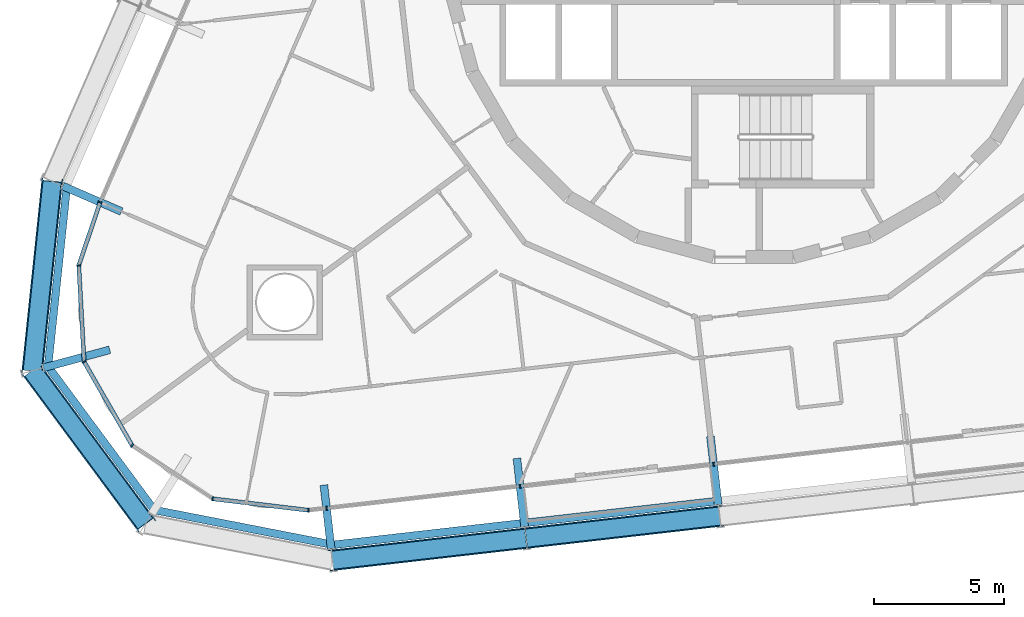
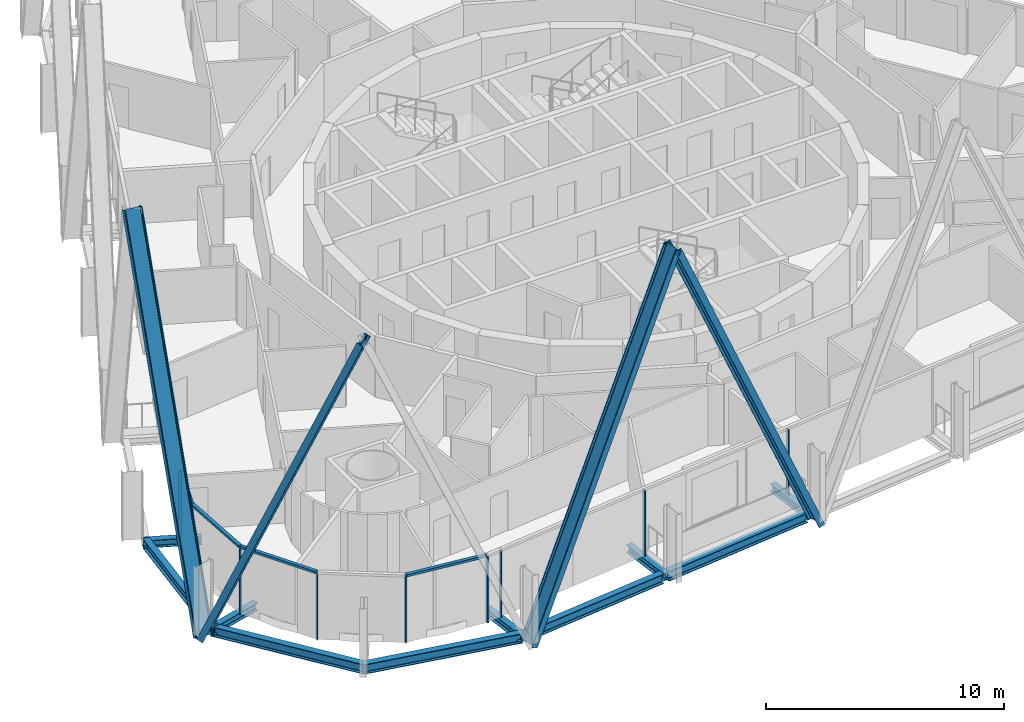
# One storey, part 3 of 23: 17 members, 10 beams, 2 elements without a shape of their own.
"""IFC4 building model written with IfcOpenShell, lengths in metres."""

from ifc_helpers import new_model, si_unit, direction, frame, origin, origin_2d, place, context, subcontext, project, spatial, rectangle, i_section, extrude, material, layer, layer_set, material_profile, profile_set, type_object, element, aggregate, save


model = new_model("IFC4")

# Units and contexts
model_context = context("Model", 3, precision=1e-05, world=origin(), true_north=direction((0.0, 1.0)))
body_context = subcontext(model_context, "Body", "Model", "MODEL_VIEW")
ifc_project = project(units=[si_unit("LENGTHUNIT", "METRE"), si_unit("AREAUNIT", "SQUARE_METRE"), si_unit("VOLUMEUNIT", "CUBIC_METRE"), si_unit("PLANEANGLEUNIT", "RADIAN"), si_unit("MASSUNIT", "GRAM", prefix="KILO")], contexts=[model_context])

# Site, building, storey
site_placement = place(None, origin())
site = spatial("IfcSite", under=ifc_project, at=site_placement, CompositionType="ELEMENT")
building_placement = place(site_placement, origin())
building = spatial("IfcBuilding", under=site, at=building_placement, Name="Spindle Arch Residences", CompositionType="ELEMENT")
storey_placement = place(building_placement, frame((0.0, 0.0, 90.699951171875)))
storey = spatial("IfcBuildingStorey", under=building, at=storey_placement, Name="L21", CompositionType="ELEMENT", Elevation=90.699951171875)

# Curtain wall, members
ifc_material_1 = material(Name="Aluminium bronze unitised frame with tinted glass", Category="aluminium")
ifc_layer_1 = layer(ifc_material_1, 0.159912109375)
ifc_layer_set_1 = layer_set([ifc_layer_1], Name="CW-D corner wall on the fillet arcs")
curtain_wall_type_1 = type_object("IfcCurtainWallType", Name="CW-D corner wall on the fillet arcs", PredefinedType="NOTDEFINED", material=ifc_layer_set_1)
curtain_wall_1_placement = place(storey_placement, origin())
curtain_wall_1 = element("IfcCurtainWall", 1, at=curtain_wall_1_placement, inside=storey, type_object=curtain_wall_type_1, Name="CW-D L21 run 5", PredefinedType="NOTDEFINED")
ifc_material_2 = material(Name="Aluminium bronze anodised mullion", Category="aluminium")
ifc_material_profile_1 = material_profile(ifc_material_2, rectangle(XDim=0.159912109375, YDim=0.06005859375, at=origin_2d()), Name="MU 60x160")
ifc_profile_set_1 = profile_set([ifc_material_profile_1], Name="Aluminium bronze anodised mullion")
member_type_1 = type_object("IfcMemberType", Name="Bronze mullion 60x160", PredefinedType="MULLION", material=ifc_profile_set_1)
member_1_placement = place(storey_placement, frame((-25.22900390625, -9.527099609375, -0.3798828125), z_axis=(0.0, 0.0, 1.0), x_axis=(0.947509671237, -0.319727106941, 0.0)))
member_1 = element("IfcMember", 2, at=member_1_placement, type_object=member_type_1, Name="CW-D mullion 00", PredefinedType="MULLION", context=body_context, shape_type="SweptSolid", body=[
    extrude(rectangle(XDim=0.159912109375, YDim=0.06005859375, at=origin_2d()), origin(), (0.0, 0.0, 1.0), 3.3798828125),
])
member_2_placement = place(storey_placement, frame((-26.052001953125, -11.96630859375, -0.3798828125), z_axis=(0.0, 0.0, 1.0), x_axis=(0.998473071057, 0.055240622495, 0.0)))
member_2 = element("IfcMember", 3, at=member_2_placement, type_object=member_type_1, Name="CW-D mullion 01", PredefinedType="MULLION", context=body_context, shape_type="SweptSolid", body=[
    extrude(rectangle(XDim=0.159912109375, YDim=0.06005859375, at=origin_2d()), origin(), (0.0, 0.0, 1.0), 3.3798828125),
])
member_3_placement = place(storey_placement, frame((-25.84619140625, -15.687255859375, -0.3798828125), z_axis=(0.0, 0.0, 1.0), x_axis=(0.867476179247, 0.497478721595, 0.0)))
member_3 = element("IfcMember", 4, at=member_3_placement, type_object=member_type_1, Name="CW-D mullion 02", PredefinedType="MULLION", context=body_context, shape_type="SweptSolid", body=[
    extrude(rectangle(XDim=0.159912109375, YDim=0.06005859375, at=origin_2d()), origin(), (0.0, 0.0, 1.0), 3.3798828125),
])
member_4_placement = place(storey_placement, frame((-23.9921875, -18.920166015625, -0.3798828125), z_axis=(0.0, 0.0, 1.0), x_axis=(0.551936987903, 0.833885820352, 0.0)))
member_4 = element("IfcMember", 5, at=member_4_placement, type_object=member_type_1, Name="CW-D mullion 03", PredefinedType="MULLION", context=body_context, shape_type="SweptSolid", body=[
    extrude(rectangle(XDim=0.159912109375, YDim=0.06005859375, at=origin_2d()), origin(), (0.0, 0.0, 1.0), 3.3798828125),
])
member_5_placement = place(storey_placement, frame((-20.884521484375, -20.97705078125, -0.3798828125), z_axis=(0.0, 0.0, 1.0), x_axis=(0.118981636756, 0.992896454881, 0.0)))
member_5 = element("IfcMember", 6, at=member_5_placement, type_object=member_type_1, Name="CW-D mullion 04", PredefinedType="MULLION", context=body_context, shape_type="SweptSolid", body=[
    extrude(rectangle(XDim=0.159912109375, YDim=0.06005859375, at=origin_2d()), origin(), (0.0, 0.0, 1.0), 3.3798828125),
])
member_6_placement = place(storey_placement, frame((-17.18408203125, -21.42041015625, -0.3798828125), z_axis=(0.0, 0.0, 1.0), x_axis=(-0.113203213768, 0.993571855677, 0.0)))
member_6 = element("IfcMember", 7, at=member_6_placement, type_object=member_type_1, Name="CW-D mullion 05", PredefinedType="MULLION", context=body_context, shape_type="SweptSolid", body=[
    extrude(rectangle(XDim=0.159912109375, YDim=0.06005859375, at=origin_2d()), origin(), (0.0, 0.0, 1.0), 3.3798828125),
])

ifc_material_3 = material(Name="Aluminium bronze unitised frame with tinted glass", Category="aluminium")
ifc_layer_2 = layer(ifc_material_3, 0.159912109375)
ifc_layer_set_2 = layer_set([ifc_layer_2], Name="CW-C typical residential unitised wall")
curtain_wall_type_2 = type_object("IfcCurtainWallType", Name="CW-C typical residential unitised wall", PredefinedType="NOTDEFINED", material=ifc_layer_set_2)
curtain_wall_2_placement = place(storey_placement, origin())
curtain_wall_2 = element("IfcCurtainWall", 8, at=curtain_wall_2_placement, inside=storey, type_object=curtain_wall_type_2, Name="CW-C L21 run 6", PredefinedType="NOTDEFINED")
member_7_placement = place(storey_placement, frame((-16.487060546875, -21.341064453125, -0.3798828125), z_axis=(0.0, 0.0, 1.0), x_axis=(-0.113203213768, 0.993571855677, 0.0)))
member_7 = element("IfcMember", 9, at=member_7_placement, type_object=member_type_1, Name="CW-C mullion 21", PredefinedType="MULLION", context=body_context, shape_type="SweptSolid", body=[
    extrude(rectangle(XDim=0.159912109375, YDim=0.06005859375, at=origin_2d()), origin(), (0.0, 0.0, 1.0), 3.3798828125),
])
member_8_placement = place(storey_placement, frame((-9.0166015625, -20.489990234375, -0.3798828125), z_axis=(0.0, 0.0, 1.0), x_axis=(-0.113203213768, 0.993571855677, 0.0)))
member_8 = element("IfcMember", 10, at=member_8_placement, type_object=member_type_1, Name="CW-C mullion 22", PredefinedType="MULLION", context=body_context, shape_type="SweptSolid", body=[
    extrude(rectangle(XDim=0.159912109375, YDim=0.06005859375, at=origin_2d()), origin(), (0.0, 0.0, 1.0), 3.3798828125),
])
member_9_placement = place(storey_placement, frame((-1.546142578125, -19.638671875, -0.3798828125), z_axis=(0.0, 0.0, 1.0), x_axis=(-0.113203213768, 0.993571855677, 0.0)))
member_9 = element("IfcMember", 11, at=member_9_placement, type_object=member_type_1, Name="CW-C mullion 23", PredefinedType="MULLION", context=body_context, shape_type="SweptSolid", body=[
    extrude(rectangle(XDim=0.159912109375, YDim=0.06005859375, at=origin_2d()), origin(), (0.0, 0.0, 1.0), 3.3798828125),
])
aggregate(curtain_wall_2, [member_7, member_8, member_9])

# Member
ifc_material_4 = material(Name="Aluminium bronze anodised transom", Category="aluminium")
ifc_material_profile_2 = material_profile(ifc_material_4, rectangle(XDim=0.159912109375, YDim=0.1201171875, at=origin_2d()), Name="TR 120x160")
ifc_profile_set_2 = profile_set([ifc_material_profile_2], Name="Aluminium bronze anodised transom")
member_type_2 = type_object("IfcMemberType", Name="Bronze transom 120x160", PredefinedType="USERDEFINED", material=ifc_profile_set_2)
member_10_placement = place(storey_placement, frame((-25.238525390625, -9.5556640625, 3.06005859375), z_axis=(-0.319779733892, -0.947491911201, 0.0), x_axis=(0.947491911201, -0.319779733892, 0.0)))
member_10 = element("IfcMember", 12, at=member_10_placement, type_object=member_type_2, Name="CW-D transom 00", ObjectType="TRANSOM", PredefinedType="USERDEFINED", context=body_context, shape_type="SweptSolid", body=[
    extrude(rectangle(XDim=0.159912109375, YDim=0.1201171875, at=origin_2d()), origin(), (0.0, 0.0, 1.0), 2.51416015625),
])

member_11_placement = place(storey_placement, frame((-26.05029296875, -11.99609375, 3.06005859375), z_axis=(0.055197130558, -0.998475476303, 0.0), x_axis=(0.998475476303, 0.055197130558, 0.0)))
member_11 = element("IfcMember", 13, at=member_11_placement, type_object=member_type_2, Name="CW-D transom 01", ObjectType="TRANSOM", PredefinedType="USERDEFINED", context=body_context, shape_type="SweptSolid", body=[
    extrude(rectangle(XDim=0.159912109375, YDim=0.1201171875, at=origin_2d()), origin(), (0.0, 0.0, 1.0), 3.666748046875),
])

member_12_placement = place(storey_placement, frame((-25.831298828125, -15.71337890625, 3.06005859375), z_axis=(0.497515065253, -0.867455335937, 0.0), x_axis=(0.867455335937, 0.497515065253, 0.0)))
member_12 = element("IfcMember", 14, at=member_12_placement, type_object=member_type_2, Name="CW-D transom 02", ObjectType="TRANSOM", PredefinedType="USERDEFINED", context=body_context, shape_type="SweptSolid", body=[
    extrude(rectangle(XDim=0.159912109375, YDim=0.1201171875, at=origin_2d()), origin(), (0.0, 0.0, 1.0), 3.666748046875),
])

member_13_placement = place(storey_placement, frame((-20.854736328125, -20.980712890625, 3.06005859375), z_axis=(0.992896987084, -0.118977195462, 0.0), x_axis=(0.118977195462, 0.992896987084, 0.0)))
member_13 = element("IfcMember", 15, at=member_13_placement, type_object=member_type_2, Name="CW-D transom 04", ObjectType="TRANSOM", PredefinedType="USERDEFINED", context=body_context, shape_type="SweptSolid", body=[
    extrude(rectangle(XDim=0.159912109375, YDim=0.1201171875, at=origin_2d()), origin(), (0.0, 0.0, 1.0), 3.6669921875),
])

aggregate(curtain_wall_1, [member_1, member_10, member_2, member_11, member_3, member_12, member_4, member_5, member_13, member_6])

# Members
ifc_material_5 = material(Name="Steel S460ML, intumescent coating R 240", Category="steel")
ifc_material_profile_3 = material_profile(ifc_material_5, i_section(OverallWidth=0.302978515625, OverallDepth=0.81396484375, WebThickness=0.02099609375, FlangeThickness=0.0400390625, FilletRadius=0.030029296875, at=origin_2d()), Name="HEM 800")
ifc_profile_set_3 = profile_set([ifc_material_profile_3], Name="Steel S460ML, intumescent coating R 240")
member_type_3 = type_object("IfcMemberType", Name="Diagrid diagonal HEM 800", PredefinedType="BRACE", material=ifc_profile_set_3)
member_14_placement = place(storey_placement, frame((-27.8466796875, -16.035888671875, -0.6298828125), z_axis=(0.040769565968, 0.389606196755, 0.9200787216), x_axis=(-0.095756959226, -0.915082214176, 0.391733514087)))
element("IfcMember", 16, at=member_14_placement, inside=storey, type_object=member_type_3, Name="Diagrid diagonal 2.2.19", PredefinedType="BRACE", context=body_context, shape_type="SweptSolid", body=[
    extrude(i_section(OverallWidth=0.302978515625, OverallDepth=0.81396484375, WebThickness=0.02099609375, FlangeThickness=0.0400390625, FilletRadius=0.030029296875, at=origin_2d()), origin(), (0.0, 0.0, 1.0), 18.7734375),
])
member_15_placement = place(storey_placement, frame((-27.8466796875, -16.035888671875, -0.6298828125), z_axis=(0.232795031613, -0.31462057323, 0.920228432595), x_axis=(-0.547354690652, 0.739745368879, 0.391381695846)))
element("IfcMember", 17, at=member_15_placement, inside=storey, type_object=member_type_3, Name="Diagrid diagonal 2.2.20", PredefinedType="BRACE", context=body_context, shape_type="SweptSolid", body=[
    extrude(i_section(OverallWidth=0.302978515625, OverallDepth=0.81396484375, WebThickness=0.02099609375, FlangeThickness=0.0400390625, FilletRadius=0.030029296875, at=origin_2d()), origin(), (0.0, 0.0, 1.0), 18.770263671875),
])
member_16_placement = place(storey_placement, frame((-16.258544921875, -23.34814453125, -0.6298828125), z_axis=(0.396553992054, 0.04517752921, 0.916899079638), x_axis=(-0.911006177079, -0.103786644443, 0.399119127279)))
element("IfcMember", 18, at=member_16_placement, inside=storey, type_object=member_type_3, Name="Diagrid diagonal 2.2.22", PredefinedType="BRACE", context=body_context, shape_type="SweptSolid", body=[
    extrude(i_section(OverallWidth=0.302978515625, OverallDepth=0.81396484375, WebThickness=0.02099609375, FlangeThickness=0.0400390625, FilletRadius=0.030029296875, at=origin_2d()), origin(), (0.0, 0.0, 1.0), 18.83837890625),
])
member_17_placement = place(storey_placement, frame((-1.3173828125, -21.645751953125, -0.6298828125), z_axis=(-0.396564681481, -0.045190230207, 0.916893830547), x_axis=(0.910997994567, 0.103812091734, 0.399131185832)))
element("IfcMember", 19, at=member_17_placement, inside=storey, type_object=member_type_3, Name="Diagrid diagonal 2.2.23", PredefinedType="BRACE", context=body_context, shape_type="SweptSolid", body=[
    extrude(i_section(OverallWidth=0.302978515625, OverallDepth=0.81396484375, WebThickness=0.02099609375, FlangeThickness=0.0400390625, FilletRadius=0.030029296875, at=origin_2d()), origin(), (0.0, 0.0, 1.0), 18.838623046875),
])

# Beams
ifc_material_6 = material(Name="Steel S460ML, intumescent coating R 120", Category="steel")
ifc_material_profile_4 = material_profile(ifc_material_6, i_section(OverallWidth=0.300048828125, OverallDepth=0.5, WebThickness=0.014404296875, FlangeThickness=0.028076171875, FilletRadius=0.027099609375, at=origin_2d()), Name="HEB 500")
ifc_profile_set_4 = profile_set([ifc_material_profile_4], Name="Steel S460ML, intumescent coating R 120")
beam_type_1 = type_object("IfcBeamType", Name="Exoskeleton edge beam HEB 500", PredefinedType="BEAM", material=ifc_profile_set_4)
beam_1_placement = place(storey_placement, frame((-26.509521484375, -8.8935546875, -0.6298828125), z_axis=(-0.104068514681, -0.994570130384, 0.0), x_axis=(0.994570130384, -0.104068514681, 0.0)))
element("IfcBeam", 20, at=beam_1_placement, inside=storey, type_object=beam_type_1, Name="Exoskeleton edge beam 19", PredefinedType="BEAM", context=body_context, shape_type="SweptSolid", body=[
    extrude(i_section(OverallWidth=0.300048828125, OverallDepth=0.5, WebThickness=0.014404296875, FlangeThickness=0.028076171875, FilletRadius=0.027099609375, at=origin_2d()), origin(), (0.0, 0.0, 1.0), 7.09423828125),
])
beam_2_placement = place(storey_placement, frame((-27.297607421875, -15.791259765625, -0.6298828125), z_axis=(0.594811393653, -0.803865290942, 0.0), x_axis=(0.803865290942, 0.594811393653, 0.0)))
element("IfcBeam", 21, at=beam_2_placement, inside=storey, type_object=beam_type_1, Name="Exoskeleton edge beam 20", PredefinedType="BEAM", context=body_context, shape_type="SweptSolid", body=[
    extrude(i_section(OverallWidth=0.300048828125, OverallDepth=0.5, WebThickness=0.014404296875, FlangeThickness=0.028076171875, FilletRadius=0.027099609375, at=origin_2d()), origin(), (0.0, 0.0, 1.0), 7.08642578125),
])
beam_3_placement = place(storey_placement, frame((-23.218994140625, -21.39404296875, -0.6298828125), z_axis=(0.981537577594, -0.191269401033, 0.0), x_axis=(0.191269401033, 0.981537577594, 0.0)))
element("IfcBeam", 22, at=beam_3_placement, inside=storey, type_object=beam_type_1, Name="Exoskeleton edge beam 21", PredefinedType="BEAM", context=body_context, shape_type="SweptSolid", body=[
    extrude(i_section(OverallWidth=0.300048828125, OverallDepth=0.5, WebThickness=0.014404296875, FlangeThickness=0.028076171875, FilletRadius=0.027099609375, at=origin_2d()), origin(), (0.0, 0.0, 1.0), 7.09423828125),
])
for number, where, z_axis, x_axis, name in (
    (23, (-16.19580078125, -22.750244140625, -0.6298828125), (0.993570992395, 0.11321079044, 0.0), (-0.11321079044, 0.993570992395, 0.0), "Exoskeleton edge beam 22"),
    (24, (-8.725341796875, -21.899169921875, -0.6298828125), (0.993570992395, 0.11321079044, 0.0), (-0.11321079044, 0.993570992395, 0.0), "Exoskeleton edge beam 23"),
):
    element("IfcBeam", number, at=place(storey_placement, frame(where, z_axis=z_axis, x_axis=x_axis)), inside=storey, type_object=beam_type_1, Name=name, PredefinedType="BEAM", context=body_context, shape_type="SweptSolid", body=[
        extrude(i_section(OverallWidth=0.300048828125, OverallDepth=0.5, WebThickness=0.014404296875, FlangeThickness=0.028076171875, FilletRadius=0.027099609375, at=origin_2d()), origin(), (0.0, 0.0, 1.0), 7.2587890625),
    ])
ifc_material_7 = material(Name="Steel S460ML, intumescent coating R 120", Category="steel")
ifc_material_profile_5 = material_profile(ifc_material_7, i_section(OverallWidth=0.300048828125, OverallDepth=0.389892578125, WebThickness=0.010986328125, FlangeThickness=0.01904296875, FilletRadius=0.027099609375, at=origin_2d()), Name="HEA 400")
ifc_profile_set_5 = profile_set([ifc_material_profile_5], Name="Steel S460ML, intumescent coating R 120")
beam_type_2 = type_object("IfcBeamType", Name="Floor outrigger HEA 400", PredefinedType="BEAM", material=ifc_profile_set_5)
beam_4_placement = place(storey_placement, frame((-26.668701171875, -8.901123046875, -0.574951171875), z_axis=(0.917057489876, -0.398755012836, 0.0), x_axis=(0.398755012836, 0.917057489876, 0.0)))
element("IfcBeam", 25, at=beam_4_placement, inside=storey, type_object=beam_type_2, Name="Floor outrigger 19", PredefinedType="BEAM", context=body_context, shape_type="SweptSolid", body=[
    extrude(i_section(OverallWidth=0.300048828125, OverallDepth=0.389892578125, WebThickness=0.010986328125, FlangeThickness=0.01904296875, FilletRadius=0.027099609375, at=origin_2d()), origin(), (0.0, 0.0, 1.0), 2.47119140625),
])
beam_5_placement = place(storey_placement, frame((-27.41259765625, -15.918212890625, -0.574951171875), z_axis=(0.965139144412, 0.261737333837, 0.0), x_axis=(-0.261737333837, 0.965139144412, 0.0)))
element("IfcBeam", 26, at=beam_5_placement, inside=storey, type_object=beam_type_2, Name="Floor outrigger 20", PredefinedType="BEAM", context=body_context, shape_type="SweptSolid", body=[
    extrude(i_section(OverallWidth=0.300048828125, OverallDepth=0.389892578125, WebThickness=0.010986328125, FlangeThickness=0.01904296875, FilletRadius=0.027099609375, at=origin_2d()), origin(), (0.0, 0.0, 1.0), 2.64990234375),
])
beam_6_placement = place(storey_placement, frame((-16.309326171875, -22.90087890625, -0.574951171875), z_axis=(-0.113228917078, 0.993568926818, 0.0), x_axis=(-0.993568926818, -0.113228917078, 0.0)))
element("IfcBeam", 27, at=beam_6_placement, inside=storey, type_object=beam_type_2, Name="Floor outrigger 22", PredefinedType="BEAM", context=body_context, shape_type="SweptSolid", body=[
    extrude(i_section(OverallWidth=0.300048828125, OverallDepth=0.389892578125, WebThickness=0.010986328125, FlangeThickness=0.01904296875, FilletRadius=0.027099609375, at=origin_2d()), origin(), (0.0, 0.0, 1.0), 2.470947265625),
])
beam_7_placement = place(storey_placement, frame((-8.8388671875, -22.0498046875, -0.574951171875), z_axis=(-0.113232173128, 0.993568555747, 0.0), x_axis=(-0.993568555747, -0.113232173128, 0.0)))
element("IfcBeam", 28, at=beam_7_placement, inside=storey, type_object=beam_type_2, Name="Floor outrigger 23", PredefinedType="BEAM", context=body_context, shape_type="SweptSolid", body=[
    extrude(i_section(OverallWidth=0.300048828125, OverallDepth=0.389892578125, WebThickness=0.010986328125, FlangeThickness=0.01904296875, FilletRadius=0.027099609375, at=origin_2d()), origin(), (0.0, 0.0, 1.0), 2.64990234375),
])
beam_8_placement = place(storey_placement, frame((-1.368408203125, -21.19873046875, -0.574951171875), z_axis=(-0.113221808681, 0.993569736878, 0.0), x_axis=(-0.993569736878, -0.113221808681, 0.0)))
element("IfcBeam", 29, at=beam_8_placement, inside=storey, type_object=beam_type_2, Name="Floor outrigger 24", PredefinedType="BEAM", context=body_context, shape_type="SweptSolid", body=[
    extrude(i_section(OverallWidth=0.300048828125, OverallDepth=0.389892578125, WebThickness=0.010986328125, FlangeThickness=0.01904296875, FilletRadius=0.027099609375, at=origin_2d()), origin(), (0.0, 0.0, 1.0), 2.650146484375),
])

save(model, "model.ifc")
